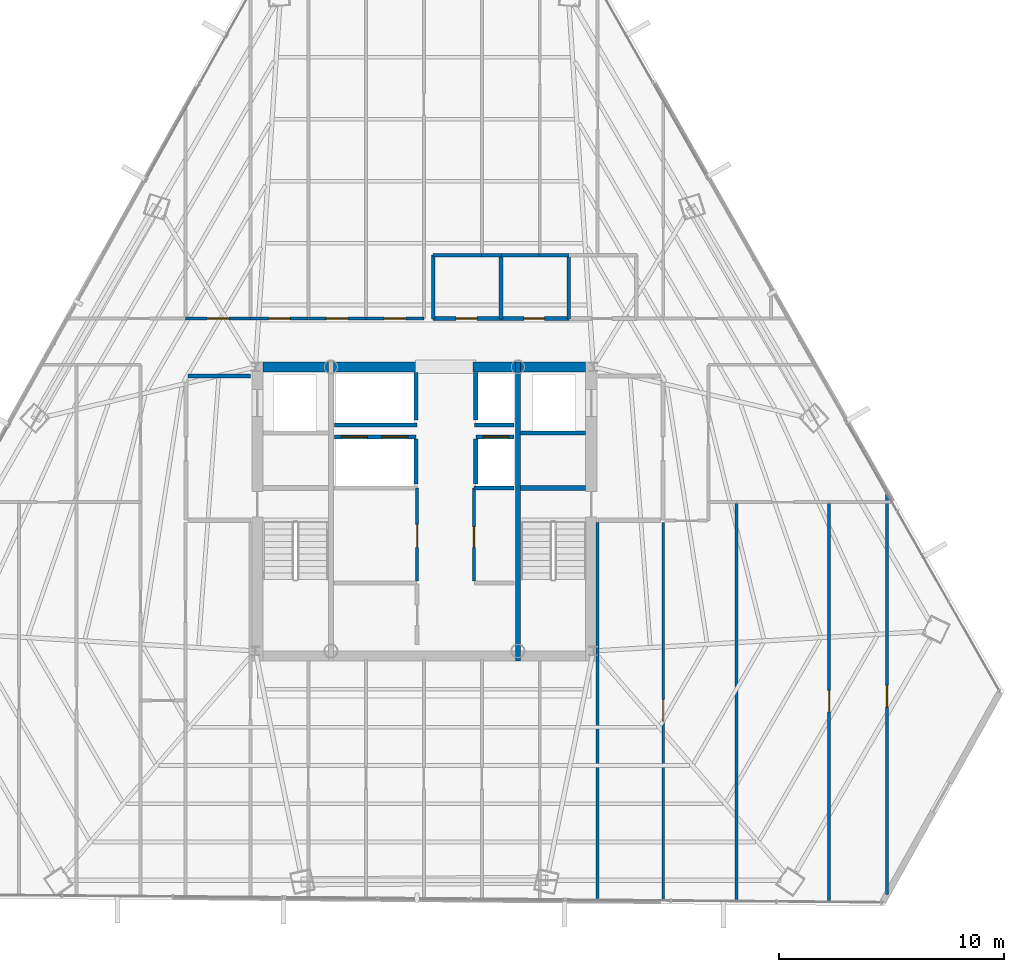
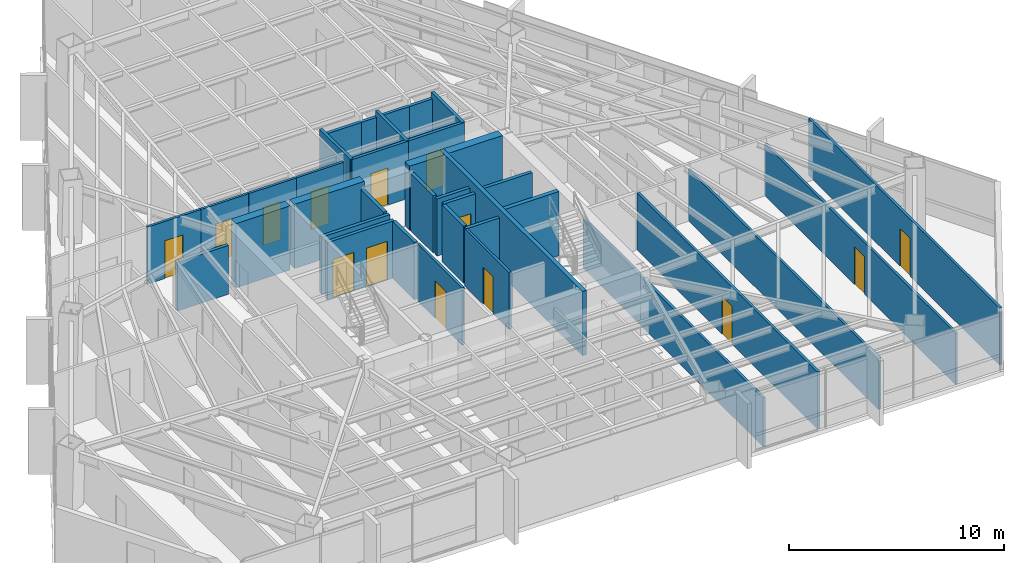
# One storey, part 35 of 40: 37 walls, 14 doors, 14 openings.
"""IFC4 building model written with IfcOpenShell, lengths in metres."""

from ifc_helpers import new_model, si_unit, direction, frame, frame_2d, origin, place, context, subcontext, project, spatial, rectangle, extrude, material, layer, layer_set, type_object, element, fill, save


model = new_model("IFC4")

# Units and contexts
model_context = context("Model", 3, precision=1e-05, world=origin(), true_north=direction((0.0, 1.0)))
body_context = subcontext(model_context, "Body", "Model", "MODEL_VIEW")
ifc_project = project(units=[si_unit("LENGTHUNIT", "METRE"), si_unit("AREAUNIT", "SQUARE_METRE"), si_unit("VOLUMEUNIT", "CUBIC_METRE"), si_unit("PLANEANGLEUNIT", "RADIAN"), si_unit("MASSUNIT", "GRAM", prefix="KILO")], contexts=[model_context])

# Site, building, storey
site_placement = place(None, origin())
site = spatial("IfcSite", under=ifc_project, at=site_placement, CompositionType="ELEMENT")
building_placement = place(site_placement, origin())
building = spatial("IfcBuilding", under=site, at=building_placement, Name="Caelisora Broadcast Tower", CompositionType="ELEMENT")
storey_placement = place(building_placement, frame((0.0, 0.0, 146.39990234375)))
storey = spatial("IfcBuildingStorey", under=building, at=storey_placement, Name="L38", CompositionType="ELEMENT", Elevation=146.39990234375)

# Walls
ifc_material_1 = material(Name="Concrete 50 MPa (AS 3600 S50)", Category="concrete")
ifc_layer_1 = layer(ifc_material_1, 0.449951171875, Name="Concrete 50 MPa (AS 3600 S50)")
ifc_layer_set_1 = layer_set([ifc_layer_1], Name="Concrete 50 MPa (AS 3600 S50)")
wall_type_1 = type_object("IfcWallType", Name="CW5", PredefinedType="SHEAR", material=ifc_layer_set_1)
wall_1_placement = place(storey_placement, frame((30.840087890625, 30.0, 0.0), z_axis=(0.0, 0.0, 1.0), x_axis=(1.0, 0.0, 0.0)))
element("IfcWall", 1, at=wall_1_placement, inside=storey, type_object=wall_type_1, Name="L38 core shear wall CW5", PredefinedType="SHEAR", context=body_context, shape_type="SweptSolid", body=[
    extrude(rectangle(XDim=2.89990234375, YDim=0.449951171875, at=frame_2d((1.449951171875, 0.0))), origin(), (0.0, 0.0, 1.0), 3.650146484375),
])
wall_2_placement = place(storey_placement, frame((33.9599609375, 30.0, 0.0), z_axis=(0.0, 0.0, 1.0), x_axis=(1.0, 0.0, 0.0)))
element("IfcWall", 2, at=wall_2_placement, inside=storey, type_object=wall_type_1, Name="L38 core shear wall CW5", PredefinedType="SHEAR", context=body_context, shape_type="SweptSolid", body=[
    extrude(rectangle(XDim=3.780029296875, YDim=0.449951171875, at=frame_2d((1.89013671875, 0.0))), origin(), (0.0, 0.0, 1.0), 3.650146484375),
])
wall_3_placement = place(storey_placement, frame((40.159912109375, 30.0, 0.0), z_axis=(0.0, 0.0, 1.0), x_axis=(1.0, 0.0, 0.0)))
element("IfcWall", 3, at=wall_3_placement, inside=storey, type_object=wall_type_1, Name="L38 core shear wall CW5", PredefinedType="SHEAR", context=body_context, shape_type="SweptSolid", body=[
    extrude(rectangle(XDim=1.880126953125, YDim=0.449951171875, at=frame_2d((0.93994140625, 0.0))), origin(), (0.0, 0.0, 1.0), 3.650146484375),
])
wall_4_placement = place(storey_placement, frame((42.260009765625, 30.0, 0.0), z_axis=(0.0, 0.0, 1.0), x_axis=(1.0, 0.0, 0.0)))
element("IfcWall", 4, at=wall_4_placement, inside=storey, type_object=wall_type_1, Name="L38 core shear wall CW5", PredefinedType="SHEAR", context=body_context, shape_type="SweptSolid", body=[
    extrude(rectangle(XDim=2.89990234375, YDim=0.449951171875, at=frame_2d((1.449951171875, 0.0))), origin(), (0.0, 0.0, 1.0), 3.650146484375),
])
ifc_layer_2 = layer(ifc_material_1, 0.219970703125, Name="Concrete 50 MPa (AS 3600 S50)")
ifc_layer_set_2 = layer_set([ifc_layer_2], Name="Concrete 50 MPa (AS 3600 S50)")
wall_type_2 = type_object("IfcWallType", Name="CW7", PredefinedType="SHEAR", material=ifc_layer_set_2)
wall_5_placement = place(storey_placement, frame((42.14990234375, 16.949951171875, 0.0), z_axis=(0.0, 0.0, 1.0), x_axis=(0.0, 1.0, 0.0)))
element("IfcWall", 5, at=wall_5_placement, inside=storey, type_object=wall_type_2, Name="L38 core shear wall CW7", PredefinedType="SHEAR", context=body_context, shape_type="SweptSolid", body=[
    extrude(rectangle(XDim=13.275146484375, YDim=0.219970703125, at=frame_2d((6.6376953125, 0.0))), origin(), (0.0, 0.0, 1.0), 3.650146484375),
])
wall_6_placement = place(storey_placement, frame((42.260009765625, 24.639892578125, 0.0), z_axis=(0.0, 0.0, 1.0), x_axis=(1.0, 0.0, 0.0)))
element("IfcWall", 6, at=wall_6_placement, inside=storey, type_object=wall_type_2, Name="L38 core shear wall CW7", PredefinedType="SHEAR", context=body_context, shape_type="SweptSolid", body=[
    extrude(rectangle(XDim=2.89990234375, YDim=0.219970703125, at=frame_2d((1.449951171875, 0.0))), origin(), (0.0, 0.0, 1.0), 3.650146484375),
])

# Wall, openings, doors
ifc_material_2 = material(Name="Fire-Rated Gypsum Shaft and Compartment Wall", Category="gypsum")
ifc_layer_3 = layer(ifc_material_2, 0.179931640625, Name="Fire-Rated Gypsum Shaft and Compartment Wall")
ifc_layer_set_3 = layer_set([ifc_layer_3], Name="Fire-Rated Gypsum Shaft and Compartment Wall")
wall_type_3 = type_object("IfcWallType", Name="PW2", PredefinedType="PARTITIONING", material=ifc_layer_set_3)
wall_7_placement = place(storey_placement, frame((34.02001953125, 26.89990234375, 0.0), z_axis=(0.0, 0.0, 1.0), x_axis=(1.0, 0.0, 0.0)))
wall_7 = element("IfcWall", 7, at=wall_7_placement, inside=storey, type_object=wall_type_3, Name="L38 fire compartment wall PW2", PredefinedType="PARTITIONING", context=body_context, shape_type="SweptSolid", body=[
    extrude(rectangle(XDim=3.60009765625, YDim=0.179931640625, at=frame_2d((1.800048828125, 0.0))), origin(), (0.0, 0.0, 1.0), 3.25),
])
opening_1_placement = place(wall_7_placement, frame((0.300048828125, 0.0, 0.0)))
opening_1 = element("IfcOpeningElement", 8, at=opening_1_placement, cuts=wall_7, Name="Opening LD02", PredefinedType="OPENING", context=body_context, shape_type="SweptSolid", body=[
    extrude(rectangle(XDim=1.14990234375, YDim=2.199951171875, at=frame_2d((0.574951171875, 1.10009765625))), frame((0.0, 0.10205078125, 0.0), z_axis=(0.0, -1.0, 0.0), x_axis=(1.0, 0.0, 0.0)), (0.0, 0.0, 1.0), 0.203857421875),
])
opening_2_placement = place(wall_7_placement, frame((2.10009765625, 0.0, 0.0)))
opening_2 = element("IfcOpeningElement", 9, at=opening_2_placement, cuts=wall_7, Name="Opening LD02", PredefinedType="OPENING", context=body_context, shape_type="SweptSolid", body=[
    extrude(rectangle(XDim=1.14990234375, YDim=2.199951171875, at=frame_2d((0.574951171875, 1.10009765625))), frame((0.0, 0.10205078125, 0.0), z_axis=(0.0, -1.0, 0.0), x_axis=(1.0, 0.0, 0.0)), (0.0, 0.0, 1.0), 0.203857421875),
])
ifc_material_3 = material(Name="High-Speed Express Lift Sliding Landing Door", Category="steel")
door_type_1 = type_object("IfcDoorType", Name="LD02", OperationType="NOTDEFINED", PredefinedType="DOOR", material=ifc_material_3)
door_1_placement = place(opening_1_placement, origin())
door_1 = element("IfcDoor", 10, at=door_1_placement, inside=storey, type_object=door_type_1, Name="L38 door LD02 (L38-LD-PLM1)", OperationType="SLIDING_TO_LEFT", OverallHeight=2.199951171875, OverallWidth=1.14990234375, PredefinedType="DOOR", context=body_context, shape_type="SweptSolid", body=[
    extrude(rectangle(XDim=1.14990234375, YDim=2.199951171875, at=frame_2d((0.574951171875, 1.10009765625))), frame((0.0, 0.02490234375, 0.0), z_axis=(0.0, -1.0, 0.0), x_axis=(1.0, 0.0, 0.0)), (0.0, 0.0, 1.0), 0.050048828125),
])
fill(opening_1, door_1)
door_2_placement = place(opening_2_placement, origin())
door_2 = element("IfcDoor", 11, at=door_2_placement, inside=storey, type_object=door_type_1, Name="L38 door LD02 (L38-LD-PLM2)", OperationType="SLIDING_TO_RIGHT", OverallHeight=2.199951171875, OverallWidth=1.14990234375, PredefinedType="DOOR", context=body_context, shape_type="SweptSolid", body=[
    extrude(rectangle(XDim=1.14990234375, YDim=2.199951171875, at=frame_2d((0.574951171875, 1.10009765625))), frame((0.0, 0.02490234375, 0.0), z_axis=(0.0, -1.0, 0.0), x_axis=(1.0, 0.0, 0.0)), (0.0, 0.0, 1.0), 0.050048828125),
])
fill(opening_2, door_2)

# Wall, opening, door
wall_8_placement = place(storey_placement, frame((40.280029296875, 26.89990234375, 0.0), z_axis=(0.0, 0.0, 1.0), x_axis=(1.0, 0.0, 0.0)))
wall_8 = element("IfcWall", 12, at=wall_8_placement, inside=storey, type_object=wall_type_3, Name="L38 fire compartment wall PW2", PredefinedType="PARTITIONING", context=body_context, shape_type="SweptSolid", body=[
    extrude(rectangle(XDim=1.699951171875, YDim=0.179931640625, at=frame_2d((0.85009765625, 0.0))), origin(), (0.0, 0.0, 1.0), 3.25),
])
opening_3_placement = place(wall_8_placement, frame((0.320068359375, 0.0, 0.0)))
opening_3 = element("IfcOpeningElement", 13, at=opening_3_placement, cuts=wall_8, Name="Opening LD02", PredefinedType="OPENING", context=body_context, shape_type="SweptSolid", body=[
    extrude(rectangle(XDim=1.14990234375, YDim=2.199951171875, at=frame_2d((0.574951171875, 1.10009765625))), frame((0.0, 0.10205078125, 0.0), z_axis=(0.0, -1.0, 0.0), x_axis=(1.0, 0.0, 0.0)), (0.0, 0.0, 1.0), 0.203857421875),
])
door_3_placement = place(opening_3_placement, origin())
door_3 = element("IfcDoor", 14, at=door_3_placement, inside=storey, type_object=door_type_1, Name="L38 door LD02 (L38-LD-PLM3)", OperationType="SLIDING_TO_LEFT", OverallHeight=2.199951171875, OverallWidth=1.14990234375, PredefinedType="DOOR", context=body_context, shape_type="SweptSolid", body=[
    extrude(rectangle(XDim=1.14990234375, YDim=2.199951171875, at=frame_2d((0.574951171875, 1.10009765625))), frame((0.0, 0.02490234375, 0.0), z_axis=(0.0, -1.0, 0.0), x_axis=(1.0, 0.0, 0.0)), (0.0, 0.0, 1.0), 0.050048828125),
])
fill(opening_3, door_3)

# Walls
for number, where, z_axis, x_axis, name in (
    (15, (37.6201171875, 24.800048828125, 0.0), (0.0, 0.0, 1.0), (0.0, 1.0, 0.0), "L38 fire compartment wall PW2"),
    (16, (40.280029296875, 24.800048828125, 0.0), (0.0, 0.0, 1.0), (0.0, 1.0, 0.0), "L38 fire compartment wall PW2"),
):
    element("IfcWall", number, at=place(storey_placement, frame(where, z_axis=z_axis, x_axis=x_axis)), inside=storey, type_object=wall_type_3, Name=name, PredefinedType="PARTITIONING", context=body_context, shape_type="SweptSolid", body=[
        extrude(rectangle(XDim=2.0, YDim=0.179931640625, at=frame_2d((1.0, 0.0))), origin(), (0.0, 0.0, 1.0), 3.25),
    ])
wall_9_placement = place(storey_placement, frame((40.199951171875, 24.639892578125, 0.0), z_axis=(0.0, 0.0, 1.0), x_axis=(1.0, 0.0, 0.0)))
element("IfcWall", 17, at=wall_9_placement, inside=storey, type_object=wall_type_3, Name="L38 fire compartment wall PW2", PredefinedType="PARTITIONING", context=body_context, shape_type="SweptSolid", body=[
    extrude(rectangle(XDim=1.780029296875, YDim=0.179931640625, at=frame_2d((0.89013671875, 0.0))), origin(), (0.0, 0.0, 1.0), 3.25),
])
wall_10_placement = place(storey_placement, frame((34.02001953125, 27.419921875, 0.0), z_axis=(0.0, 0.0, 1.0), x_axis=(1.0, 0.0, 0.0)))
element("IfcWall", 18, at=wall_10_placement, inside=storey, type_object=wall_type_3, Name="L38 fire compartment wall PW2", PredefinedType="PARTITIONING", context=body_context, shape_type="SweptSolid", body=[
    extrude(rectangle(XDim=3.659912109375, YDim=0.179931640625, at=frame_2d((1.830078125, 0.0))), origin(), (0.0, 0.0, 1.0), 3.25),
])
wall_11_placement = place(storey_placement, frame((40.219970703125, 27.419921875, 0.0), z_axis=(0.0, 0.0, 1.0), x_axis=(1.0, 0.0, 0.0)))
element("IfcWall", 19, at=wall_11_placement, inside=storey, type_object=wall_type_3, Name="L38 fire compartment wall PW2", PredefinedType="PARTITIONING", context=body_context, shape_type="SweptSolid", body=[
    extrude(rectangle(XDim=1.760009765625, YDim=0.179931640625, at=frame_2d((0.8798828125, 0.0))), origin(), (0.0, 0.0, 1.0), 3.25),
])
for number, where, z_axis, x_axis, name in (
    (20, (37.6201171875, 27.639892578125, 0.0), (0.0, 0.0, 1.0), (0.0, 1.0, 0.0), "L38 fire compartment wall PW2"),
    (21, (40.280029296875, 27.639892578125, 0.0), (0.0, 0.0, 1.0), (0.0, 1.0, 0.0), "L38 fire compartment wall PW2"),
):
    element("IfcWall", number, at=place(storey_placement, frame(where, z_axis=z_axis, x_axis=x_axis)), inside=storey, type_object=wall_type_3, Name=name, PredefinedType="PARTITIONING", context=body_context, shape_type="SweptSolid", body=[
        extrude(rectangle(XDim=2.110107421875, YDim=0.179931640625, at=frame_2d((1.05517578125, 0.0))), origin(), (0.0, 0.0, 1.0), 3.25),
    ])
wall_12_placement = place(storey_placement, frame((27.52001953125, 29.60009765625, 0.0), z_axis=(0.0, 0.0, 1.0), x_axis=(1.0, 0.0, 0.0)))
element("IfcWall", 22, at=wall_12_placement, inside=storey, type_object=wall_type_3, Name="L38 fire compartment wall PW2", PredefinedType="PARTITIONING", context=body_context, shape_type="SweptSolid", body=[
    extrude(rectangle(XDim=2.760009765625, YDim=0.179931640625, at=frame_2d((1.3798828125, 0.0))), origin(), (0.0, 0.0, 1.0), 2.774658203125),
])
wall_13_placement = place(storey_placement, frame((42.239990234375, 27.070068359375, 0.0), z_axis=(0.0, 0.0, 1.0), x_axis=(1.0, 0.0, 0.0)))
element("IfcWall", 23, at=wall_13_placement, inside=storey, type_object=wall_type_3, Name="L38 fire compartment wall PW2", PredefinedType="PARTITIONING", context=body_context, shape_type="SweptSolid", body=[
    extrude(rectangle(XDim=2.89990234375, YDim=0.179931640625, at=frame_2d((1.449951171875, 0.0))), origin(), (0.0, 0.0, 1.0), 3.25),
])

# Wall, opening, door
ifc_material_4 = material(Name="Acoustic Steel-Stud Plasterboard Partition", Category="gypsum")
ifc_layer_4 = layer(ifc_material_4, 0.1298828125, Name="Acoustic Steel-Stud Plasterboard Partition")
ifc_layer_set_4 = layer_set([ifc_layer_4], Name="Acoustic Steel-Stud Plasterboard Partition")
wall_type_4 = type_object("IfcWallType", Name="PW3", PredefinedType="PARTITIONING", material=ifc_layer_set_4)
wall_14_placement = place(storey_placement, frame((37.679931640625, 20.5, 0.0), z_axis=(0.0, 0.0, 1.0), x_axis=(0.0, 1.0, 0.0)))
wall_14 = element("IfcWall", 24, at=wall_14_placement, inside=storey, type_object=wall_type_4, Name="L38 internal partition PW3", PredefinedType="PARTITIONING", context=body_context, shape_type="SweptSolid", body=[
    extrude(rectangle(XDim=4.139892578125, YDim=0.1298828125, at=frame_2d((2.06982421875, 0.0))), origin(), (0.0, 0.0, 1.0), 3.25),
])
opening_4_placement = place(wall_14_placement, frame((1.5, 0.0, 0.0)))
opening_4 = element("IfcOpeningElement", 25, at=opening_4_placement, cuts=wall_14, Name="Opening D02", PredefinedType="OPENING", context=body_context, shape_type="SweptSolid", body=[
    extrude(rectangle(XDim=1.02001953125, YDim=2.14990234375, at=frame_2d((0.510009765625, 1.074951171875))), frame((0.0, 0.076904296875, 0.0), z_axis=(0.0, -1.0, 0.0), x_axis=(1.0, 0.0, 0.0)), (0.0, 0.0, 1.0), 0.15380859375),
])
ifc_material_5 = material(Name="Solid-Core Timber Archive Suite Door", Category="wood")
door_type_2 = type_object("IfcDoorType", Name="D02", OperationType="NOTDEFINED", PredefinedType="DOOR", material=ifc_material_5)
door_4_placement = place(opening_4_placement, origin())
door_4 = element("IfcDoor", 26, at=door_4_placement, inside=storey, type_object=door_type_2, Name="L38 door D02 (L38-DR-P11D1)", OperationType="SINGLE_SWING_LEFT", OverallHeight=2.14990234375, OverallWidth=1.02001953125, PredefinedType="DOOR", context=body_context, shape_type="SweptSolid", body=[
    extrude(rectangle(XDim=1.02001953125, YDim=2.14990234375, at=frame_2d((0.510009765625, 1.074951171875))), frame((0.0, 0.02490234375, 0.0), z_axis=(0.0, -1.0, 0.0), x_axis=(1.0, 0.0, 0.0)), (0.0, 0.0, 1.0), 0.050048828125),
])
fill(opening_4, door_4)

wall_15_placement = place(storey_placement, frame((40.199951171875, 20.5, 0.0), z_axis=(0.0, 0.0, 1.0), x_axis=(0.0, 1.0, 0.0)))
wall_15 = element("IfcWall", 27, at=wall_15_placement, inside=storey, type_object=wall_type_4, Name="L38 internal partition PW3", PredefinedType="PARTITIONING", context=body_context, shape_type="SweptSolid", body=[
    extrude(rectangle(XDim=4.139892578125, YDim=0.1298828125, at=frame_2d((2.06982421875, 0.0))), origin(), (0.0, 0.0, 1.0), 3.25),
])
opening_5_placement = place(wall_15_placement, frame((1.5, 0.0, 0.0)))
opening_5 = element("IfcOpeningElement", 28, at=opening_5_placement, cuts=wall_15, Name="Opening FD03", PredefinedType="OPENING", context=body_context, shape_type="SweptSolid", body=[
    extrude(rectangle(XDim=0.89990234375, YDim=2.10009765625, at=frame_2d((0.449951171875, 1.050048828125))), frame((0.0, 0.076904296875, 0.0), z_axis=(0.0, -1.0, 0.0), x_axis=(1.0, 0.0, 0.0)), (0.0, 0.0, 1.0), 0.15380859375),
])
ifc_material_6 = material(Name="Single-Leaf Steel Riser Fire Access Door", Category="steel")
door_type_3 = type_object("IfcDoorType", Name="FD03", OperationType="NOTDEFINED", PredefinedType="DOOR", material=ifc_material_6)
door_5_placement = place(opening_5_placement, origin())
door_5 = element("IfcDoor", 29, at=door_5_placement, inside=storey, type_object=door_type_3, Name="L38 door FD03 (L38-DR-P12D1)", OperationType="SINGLE_SWING_RIGHT", OverallHeight=2.10009765625, OverallWidth=0.89990234375, PredefinedType="DOOR", context=body_context, shape_type="SweptSolid", body=[
    extrude(rectangle(XDim=0.89990234375, YDim=2.10009765625, at=frame_2d((0.449951171875, 1.050048828125))), frame((0.0, 0.02490234375, 0.0), z_axis=(0.0, -1.0, 0.0), x_axis=(1.0, 0.0, 0.0)), (0.0, 0.0, 1.0), 0.050048828125),
])
fill(opening_5, door_5)

wall_16_placement = place(storey_placement, frame((55.9599609375, 6.25439453125, 0.0), z_axis=(0.0, 0.0, 1.0), x_axis=(0.0, 1.0, 0.0)))
wall_16 = element("IfcWall", 30, at=wall_16_placement, inside=storey, type_object=wall_type_4, Name="L38 internal partition PW3", PredefinedType="PARTITIONING", context=body_context, shape_type="SweptSolid", body=[
    extrude(rectangle(XDim=17.74072265625, YDim=0.1298828125, at=frame_2d((8.870361328125, 0.0))), origin(), (0.0, 0.0, 1.0), 2.927978515625),
])
opening_6_placement = place(wall_16_placement, frame((8.43798828125, 0.0, 0.0)))
opening_6 = element("IfcOpeningElement", 31, at=opening_6_placement, cuts=wall_16, Name="Opening D01", PredefinedType="OPENING", context=body_context, shape_type="SweptSolid", body=[
    extrude(rectangle(XDim=0.9599609375, YDim=2.14990234375, at=frame_2d((0.47998046875, 1.074951171875))), frame((0.0, 0.076904296875, 0.0), z_axis=(0.0, -1.0, 0.0), x_axis=(1.0, 0.0, 0.0)), (0.0, 0.0, 1.0), 0.15380859375),
])
ifc_material_7 = material(Name="Solid-Core Timber Acoustic Office Door", Category="wood")
door_type_4 = type_object("IfcDoorType", Name="D01", OperationType="NOTDEFINED", PredefinedType="DOOR", material=ifc_material_7)
door_6_placement = place(opening_6_placement, origin())
door_6 = element("IfcDoor", 32, at=door_6_placement, inside=storey, type_object=door_type_4, Name="L38 door D01 (L38-DR-P30D1)", OperationType="SINGLE_SWING_RIGHT", OverallHeight=2.14990234375, OverallWidth=0.9599609375, PredefinedType="DOOR", context=body_context, shape_type="SweptSolid", body=[
    extrude(rectangle(XDim=0.9599609375, YDim=2.14990234375, at=frame_2d((0.47998046875, 1.074951171875))), frame((0.0, 0.02490234375, 0.0), z_axis=(0.0, -1.0, 0.0), x_axis=(1.0, 0.0, 0.0)), (0.0, 0.0, 1.0), 0.050048828125),
])
fill(opening_6, door_6)

# Wall
wall_17_placement = place(storey_placement, frame((51.85009765625, 6.2880859375, 0.0), z_axis=(0.0, 0.0, 1.0), x_axis=(0.0, 1.0, 0.0)))
element("IfcWall", 33, at=wall_17_placement, inside=storey, type_object=wall_type_4, Name="L38 internal partition PW3", PredefinedType="PARTITIONING", context=body_context, shape_type="SweptSolid", body=[
    extrude(rectangle(XDim=17.70703125, YDim=0.1298828125, at=frame_2d((8.853515625, 0.0))), origin(), (0.0, 0.0, 1.0), 2.927978515625),
])

# Wall, opening, door
wall_18_placement = place(storey_placement, frame((58.530029296875, 6.586669921875, 0.0), z_axis=(0.0, 0.0, 1.0), x_axis=(0.0, 1.0, 0.0)))
wall_18 = element("IfcWall", 34, at=wall_18_placement, inside=storey, type_object=wall_type_4, Name="L38 internal partition PW3", PredefinedType="PARTITIONING", context=body_context, shape_type="SweptSolid", body=[
    extrude(rectangle(XDim=17.78466796875, YDim=0.1298828125, at=frame_2d((8.892333984375, 0.0))), origin(), (0.0, 0.0, 1.0), 3.25),
])
opening_7_placement = place(wall_18_placement, frame((8.322021484375, 0.0, 0.0)))
opening_7 = element("IfcOpeningElement", 35, at=opening_7_placement, cuts=wall_18, Name="Opening D01", PredefinedType="OPENING", context=body_context, shape_type="SweptSolid", body=[
    extrude(rectangle(XDim=0.9599609375, YDim=2.14990234375, at=frame_2d((0.47998046875, 1.074951171875))), frame((0.0, 0.076904296875, 0.0), z_axis=(0.0, -1.0, 0.0), x_axis=(1.0, 0.0, 0.0)), (0.0, 0.0, 1.0), 0.15380859375),
])
door_7_placement = place(opening_7_placement, origin())
door_7 = element("IfcDoor", 36, at=door_7_placement, inside=storey, type_object=door_type_4, Name="L38 door D01 (L38-DR-P32D1)", OperationType="SINGLE_SWING_LEFT", OverallHeight=2.14990234375, OverallWidth=0.9599609375, PredefinedType="DOOR", context=body_context, shape_type="SweptSolid", body=[
    extrude(rectangle(XDim=0.9599609375, YDim=2.14990234375, at=frame_2d((0.47998046875, 1.074951171875))), frame((0.0, 0.02490234375, 0.0), z_axis=(0.0, -1.0, 0.0), x_axis=(1.0, 0.0, 0.0)), (0.0, 0.0, 1.0), 0.050048828125),
])
fill(opening_7, door_7)

wall_19_placement = place(storey_placement, frame((48.60009765625, 6.31494140625, 0.0), z_axis=(0.0, 0.0, 1.0), x_axis=(0.0, 1.0, 0.0)))
wall_19 = element("IfcWall", 37, at=wall_19_placement, inside=storey, type_object=wall_type_4, Name="L38 internal partition PW3", PredefinedType="PARTITIONING", context=body_context, shape_type="SweptSolid", body=[
    extrude(rectangle(XDim=16.7900390625, YDim=0.1298828125, at=frame_2d((8.39501953125, 0.0))), origin(), (0.0, 0.0, 1.0), 3.25),
])
opening_8_placement = place(wall_19_placement, frame((7.962890625, 0.0, 0.0)))
opening_8 = element("IfcOpeningElement", 38, at=opening_8_placement, cuts=wall_19, Name="Opening D01", PredefinedType="OPENING", context=body_context, shape_type="SweptSolid", body=[
    extrude(rectangle(XDim=0.9599609375, YDim=2.14990234375, at=frame_2d((0.47998046875, 1.074951171875))), frame((0.0, 0.076904296875, 0.0), z_axis=(0.0, -1.0, 0.0), x_axis=(1.0, 0.0, 0.0)), (0.0, 0.0, 1.0), 0.15380859375),
])
door_8_placement = place(opening_8_placement, origin())
door_8 = element("IfcDoor", 39, at=door_8_placement, inside=storey, type_object=door_type_4, Name="L38 door D01 (L38-DR-P35D1)", OperationType="SINGLE_SWING_RIGHT", OverallHeight=2.14990234375, OverallWidth=0.9599609375, PredefinedType="DOOR", context=body_context, shape_type="SweptSolid", body=[
    extrude(rectangle(XDim=0.9599609375, YDim=2.14990234375, at=frame_2d((0.47998046875, 1.074951171875))), frame((0.0, 0.02490234375, 0.0), z_axis=(0.0, -1.0, 0.0), x_axis=(1.0, 0.0, 0.0)), (0.0, 0.0, 1.0), 0.050048828125),
])
fill(opening_8, door_8)

# Wall
wall_20_placement = place(storey_placement, frame((45.68994140625, 6.3388671875, 0.0), z_axis=(0.0, 0.0, 1.0), x_axis=(0.0, 1.0, 0.0)))
element("IfcWall", 40, at=wall_20_placement, inside=storey, type_object=wall_type_4, Name="L38 internal partition PW3", PredefinedType="PARTITIONING", context=body_context, shape_type="SweptSolid", body=[
    extrude(rectangle(XDim=16.76611328125, YDim=0.1298828125, at=frame_2d((8.383056640625, 0.0))), origin(), (0.0, 0.0, 1.0), 2.774658203125),
])

# Wall, opening, door
wall_21_placement = place(storey_placement, frame((27.405029296875, 32.14990234375, 0.0), z_axis=(0.0, 0.0, 1.0), x_axis=(1.0, 0.0, 0.0)))
wall_21 = element("IfcWall", 41, at=wall_21_placement, inside=storey, type_object=wall_type_4, Name="L38 internal partition PW3", PredefinedType="PARTITIONING", context=body_context, shape_type="SweptSolid", body=[
    extrude(rectangle(XDim=2.869873046875, YDim=0.1298828125, at=frame_2d((1.43505859375, 0.0))), origin(), (0.0, 0.0, 1.0), 3.25),
])
opening_9_placement = place(wall_21_placement, frame((0.955078125, 0.0, 0.0)))
opening_9 = element("IfcOpeningElement", 42, at=opening_9_placement, cuts=wall_21, Name="Opening D01", PredefinedType="OPENING", context=body_context, shape_type="SweptSolid", body=[
    extrude(rectangle(XDim=0.9599609375, YDim=2.14990234375, at=frame_2d((0.47998046875, 1.074951171875))), frame((0.0, 0.076904296875, 0.0), z_axis=(0.0, -1.0, 0.0), x_axis=(1.0, 0.0, 0.0)), (0.0, 0.0, 1.0), 0.15380859375),
])
door_9_placement = place(opening_9_placement, origin())
door_9 = element("IfcDoor", 43, at=door_9_placement, inside=storey, type_object=door_type_4, Name="L38 door D01 (L38-DR-P63D1)", OperationType="SINGLE_SWING_RIGHT", OverallHeight=2.14990234375, OverallWidth=0.9599609375, PredefinedType="DOOR", context=body_context, shape_type="SweptSolid", body=[
    extrude(rectangle(XDim=0.9599609375, YDim=2.14990234375, at=frame_2d((0.47998046875, 1.074951171875))), frame((0.0, 0.02490234375, 0.0), z_axis=(0.0, -1.0, 0.0), x_axis=(1.0, 0.0, 0.0)), (0.0, 0.0, 1.0), 0.050048828125),
])
fill(opening_9, door_9)

wall_22_placement = place(storey_placement, frame((30.284912109375, 32.14990234375, 0.0), z_axis=(0.0, 0.0, 1.0), x_axis=(1.0, 0.0, 0.0)))
wall_22 = element("IfcWall", 44, at=wall_22_placement, inside=storey, type_object=wall_type_4, Name="L38 internal partition PW3", PredefinedType="PARTITIONING", context=body_context, shape_type="SweptSolid", body=[
    extrude(rectangle(XDim=2.56005859375, YDim=0.1298828125, at=frame_2d((1.280029296875, 0.0))), origin(), (0.0, 0.0, 1.0), 3.25),
])
opening_10_placement = place(wall_22_placement, frame((0.800048828125, 0.0, 0.0)))
opening_10 = element("IfcOpeningElement", 45, at=opening_10_placement, cuts=wall_22, Name="Opening D01", PredefinedType="OPENING", context=body_context, shape_type="SweptSolid", body=[
    extrude(rectangle(XDim=0.9599609375, YDim=2.14990234375, at=frame_2d((0.47998046875, 1.074951171875))), frame((0.0, 0.076904296875, 0.0), z_axis=(0.0, -1.0, 0.0), x_axis=(1.0, 0.0, 0.0)), (0.0, 0.0, 1.0), 0.15380859375),
])
door_10_placement = place(opening_10_placement, origin())
door_10 = element("IfcDoor", 46, at=door_10_placement, inside=storey, type_object=door_type_4, Name="L38 door D01 (L38-DR-P66D1)", OperationType="SINGLE_SWING_LEFT", OverallHeight=2.14990234375, OverallWidth=0.9599609375, PredefinedType="DOOR", context=body_context, shape_type="SweptSolid", body=[
    extrude(rectangle(XDim=0.9599609375, YDim=2.14990234375, at=frame_2d((0.47998046875, 1.074951171875))), frame((0.0, 0.02490234375, 0.0), z_axis=(0.0, -1.0, 0.0), x_axis=(1.0, 0.0, 0.0)), (0.0, 0.0, 1.0), 0.050048828125),
])
fill(opening_10, door_10)

wall_23_placement = place(storey_placement, frame((35.4150390625, 32.14990234375, 0.0), z_axis=(0.0, 0.0, 1.0), x_axis=(1.0, 0.0, 0.0)))
wall_23 = element("IfcWall", 47, at=wall_23_placement, inside=storey, type_object=wall_type_4, Name="L38 internal partition PW3", PredefinedType="PARTITIONING", context=body_context, shape_type="SweptSolid", body=[
    extrude(rectangle(XDim=2.56005859375, YDim=0.1298828125, at=frame_2d((1.280029296875, 0.0))), origin(), (0.0, 0.0, 1.0), 3.25),
])
opening_11_placement = place(wall_23_placement, frame((0.800048828125, 0.0, 0.0)))
opening_11 = element("IfcOpeningElement", 48, at=opening_11_placement, cuts=wall_23, Name="Opening D01", PredefinedType="OPENING", context=body_context, shape_type="SweptSolid", body=[
    extrude(rectangle(XDim=0.9599609375, YDim=2.14990234375, at=frame_2d((0.47998046875, 1.074951171875))), frame((0.0, 0.076904296875, 0.0), z_axis=(0.0, -1.0, 0.0), x_axis=(1.0, 0.0, 0.0)), (0.0, 0.0, 1.0), 0.15380859375),
])
door_11_placement = place(opening_11_placement, origin())
door_11 = element("IfcDoor", 49, at=door_11_placement, inside=storey, type_object=door_type_4, Name="L38 door D01 (L38-DR-P67D1)", OperationType="SINGLE_SWING_RIGHT", OverallHeight=2.14990234375, OverallWidth=0.9599609375, PredefinedType="DOOR", context=body_context, shape_type="SweptSolid", body=[
    extrude(rectangle(XDim=0.9599609375, YDim=2.14990234375, at=frame_2d((0.47998046875, 1.074951171875))), frame((0.0, 0.02490234375, 0.0), z_axis=(0.0, -1.0, 0.0), x_axis=(1.0, 0.0, 0.0)), (0.0, 0.0, 1.0), 0.050048828125),
])
fill(opening_11, door_11)

wall_24_placement = place(storey_placement, frame((32.85498046875, 32.14990234375, 0.0), z_axis=(0.0, 0.0, 1.0), x_axis=(1.0, 0.0, 0.0)))
wall_24 = element("IfcWall", 50, at=wall_24_placement, inside=storey, type_object=wall_type_4, Name="L38 internal partition PW3", PredefinedType="PARTITIONING", context=body_context, shape_type="SweptSolid", body=[
    extrude(rectangle(XDim=2.550048828125, YDim=0.1298828125, at=frame_2d((1.27490234375, 0.0))), origin(), (0.0, 0.0, 1.0), 3.25),
])
opening_12_placement = place(wall_24_placement, frame((0.794921875, 0.0, 0.0)))
opening_12 = element("IfcOpeningElement", 51, at=opening_12_placement, cuts=wall_24, Name="Opening D01", PredefinedType="OPENING", context=body_context, shape_type="SweptSolid", body=[
    extrude(rectangle(XDim=0.9599609375, YDim=2.14990234375, at=frame_2d((0.47998046875, 1.074951171875))), frame((0.0, 0.076904296875, 0.0), z_axis=(0.0, -1.0, 0.0), x_axis=(1.0, 0.0, 0.0)), (0.0, 0.0, 1.0), 0.15380859375),
])
door_12_placement = place(opening_12_placement, origin())
door_12 = element("IfcDoor", 52, at=door_12_placement, inside=storey, type_object=door_type_4, Name="L38 door D01 (L38-DR-P70D1)", OperationType="SINGLE_SWING_RIGHT", OverallHeight=2.14990234375, OverallWidth=0.9599609375, PredefinedType="DOOR", context=body_context, shape_type="SweptSolid", body=[
    extrude(rectangle(XDim=0.9599609375, YDim=2.14990234375, at=frame_2d((0.47998046875, 1.074951171875))), frame((0.0, 0.02490234375, 0.0), z_axis=(0.0, -1.0, 0.0), x_axis=(1.0, 0.0, 0.0)), (0.0, 0.0, 1.0), 0.050048828125),
])
fill(opening_12, door_12)

ifc_material_8 = material(Name="Moisture-Resistant Wet Plumbing Service Wall", Category="gypsum")
ifc_layer_5 = layer(ifc_material_8, 0.159912109375, Name="Moisture-Resistant Wet Plumbing Service Wall")
ifc_layer_set_5 = layer_set([ifc_layer_5], Name="Moisture-Resistant Wet Plumbing Service Wall")
wall_type_5 = type_object("IfcWallType", Name="PW4", PredefinedType="PLUMBINGWALL", material=ifc_layer_set_5)
wall_25_placement = place(storey_placement, frame((38.375, 32.14990234375, 0.0), z_axis=(0.0, 0.0, 1.0), x_axis=(1.0, 0.0, 0.0)))
wall_25 = element("IfcWall", 53, at=wall_25_placement, inside=storey, type_object=wall_type_5, Name="L38 wet plumbing wall PW4", PredefinedType="PLUMBINGWALL", context=body_context, shape_type="SweptSolid", body=[
    extrude(rectangle(XDim=3.050048828125, YDim=0.159912109375, at=frame_2d((1.52490234375, 0.0))), origin(), (0.0, 0.0, 1.0), 3.25),
])
opening_13_placement = place(wall_25_placement, frame((1.034912109375, 0.0, 0.0)))
opening_13 = element("IfcOpeningElement", 54, at=opening_13_placement, cuts=wall_25, Name="Opening D03", PredefinedType="OPENING", context=body_context, shape_type="SweptSolid", body=[
    extrude(rectangle(XDim=0.919921875, YDim=2.10009765625, at=frame_2d((0.4599609375, 1.050048828125))), frame((0.0, 0.092041015625, 0.0), z_axis=(0.0, -1.0, 0.0), x_axis=(1.0, 0.0, 0.0)), (0.0, 0.0, 1.0), 0.183837890625),
])
ifc_material_9 = material(Name="Laminate Moisture-Resistant Amenity WC Door", Category="wood")
door_type_5 = type_object("IfcDoorType", Name="D03", OperationType="NOTDEFINED", PredefinedType="DOOR", material=ifc_material_9)
door_13_placement = place(opening_13_placement, origin())
door_13 = element("IfcDoor", 55, at=door_13_placement, inside=storey, type_object=door_type_5, Name="L38 door D03 (L38-DR-P14D1)", OperationType="SINGLE_SWING_RIGHT", OverallHeight=2.10009765625, OverallWidth=0.919921875, PredefinedType="DOOR", context=body_context, shape_type="SweptSolid", body=[
    extrude(rectangle(XDim=0.919921875, YDim=2.10009765625, at=frame_2d((0.4599609375, 1.050048828125))), frame((0.0, 0.02490234375, 0.0), z_axis=(0.0, -1.0, 0.0), x_axis=(1.0, 0.0, 0.0)), (0.0, 0.0, 1.0), 0.050048828125),
])
fill(opening_13, door_13)

wall_26_placement = place(storey_placement, frame((41.375, 32.14990234375, 0.0), z_axis=(0.0, 0.0, 1.0), x_axis=(1.0, 0.0, 0.0)))
wall_26 = element("IfcWall", 56, at=wall_26_placement, inside=storey, type_object=wall_type_5, Name="L38 wet plumbing wall PW4", PredefinedType="PLUMBINGWALL", context=body_context, shape_type="SweptSolid", body=[
    extrude(rectangle(XDim=3.050048828125, YDim=0.159912109375, at=frame_2d((1.52490234375, 0.0))), origin(), (0.0, 0.0, 1.0), 3.25),
])
opening_14_placement = place(wall_26_placement, frame((1.034912109375, 0.0, 0.0)))
opening_14 = element("IfcOpeningElement", 57, at=opening_14_placement, cuts=wall_26, Name="Opening D03", PredefinedType="OPENING", context=body_context, shape_type="SweptSolid", body=[
    extrude(rectangle(XDim=0.919921875, YDim=2.10009765625, at=frame_2d((0.4599609375, 1.050048828125))), frame((0.0, 0.092041015625, 0.0), z_axis=(0.0, -1.0, 0.0), x_axis=(1.0, 0.0, 0.0)), (0.0, 0.0, 1.0), 0.183837890625),
])
door_14_placement = place(opening_14_placement, origin())
door_14 = element("IfcDoor", 58, at=door_14_placement, inside=storey, type_object=door_type_5, Name="L38 door D03 (L38-DR-P15D1)", OperationType="SINGLE_SWING_LEFT", OverallHeight=2.10009765625, OverallWidth=0.919921875, PredefinedType="DOOR", context=body_context, shape_type="SweptSolid", body=[
    extrude(rectangle(XDim=0.919921875, YDim=2.10009765625, at=frame_2d((0.4599609375, 1.050048828125))), frame((0.0, 0.02490234375, 0.0), z_axis=(0.0, -1.0, 0.0), x_axis=(1.0, 0.0, 0.0)), (0.0, 0.0, 1.0), 0.050048828125),
])
fill(opening_14, door_14)

# Walls
for number, where, z_axis, x_axis, name in (
    (59, (41.39990234375, 32.125, 0.0), (0.0, 0.0, 1.0), (0.0, 1.0, 0.0), "L38 wet plumbing wall PW4"),
    (60, (38.39990234375, 32.125, 0.0), (0.0, 0.0, 1.0), (0.0, 1.0, 0.0), "L38 wet plumbing wall PW4"),
    (61, (44.39990234375, 32.125, 0.0), (0.0, 0.0, 1.0), (0.0, 1.0, 0.0), "L38 wet plumbing wall PW4"),
):
    element("IfcWall", number, at=place(storey_placement, frame(where, z_axis=z_axis, x_axis=x_axis)), inside=storey, type_object=wall_type_5, Name=name, PredefinedType="PLUMBINGWALL", context=body_context, shape_type="SweptSolid", body=[
        extrude(rectangle(XDim=2.85009765625, YDim=0.159912109375, at=frame_2d((1.425048828125, 0.0))), origin(), (0.0, 0.0, 1.0), 3.25),
    ])
wall_27_placement = place(storey_placement, frame((38.375, 34.949951171875, 0.0), z_axis=(0.0, 0.0, 1.0), x_axis=(1.0, 0.0, 0.0)))
element("IfcWall", 62, at=wall_27_placement, inside=storey, type_object=wall_type_5, Name="L38 wet plumbing wall PW4", PredefinedType="PLUMBINGWALL", context=body_context, shape_type="SweptSolid", body=[
    extrude(rectangle(XDim=2.199951171875, YDim=0.159912109375, at=frame_2d((1.10009765625, 0.0))), origin(), (0.0, 0.0, 1.0), 2.927978515625),
])
wall_28_placement = place(storey_placement, frame((41.375, 34.949951171875, 0.0), z_axis=(0.0, 0.0, 1.0), x_axis=(1.0, 0.0, 0.0)))
element("IfcWall", 63, at=wall_28_placement, inside=storey, type_object=wall_type_5, Name="L38 wet plumbing wall PW4", PredefinedType="PLUMBINGWALL", context=body_context, shape_type="SweptSolid", body=[
    extrude(rectangle(XDim=1.77001953125, YDim=0.159912109375, at=frame_2d((0.885009765625, 0.0))), origin(), (0.0, 0.0, 1.0), 2.927978515625),
])
wall_29_placement = place(storey_placement, frame((43.094970703125, 34.949951171875, 0.0), z_axis=(0.0, 0.0, 1.0), x_axis=(1.0, 0.0, 0.0)))
element("IfcWall", 64, at=wall_29_placement, inside=storey, type_object=wall_type_5, Name="L38 wet plumbing wall PW4", PredefinedType="PLUMBINGWALL", context=body_context, shape_type="SweptSolid", body=[
    extrude(rectangle(XDim=1.330078125, YDim=0.159912109375, at=frame_2d((0.6650390625, 0.0))), origin(), (0.0, 0.0, 1.0), 2.927978515625),
])
wall_30_placement = place(storey_placement, frame((40.52490234375, 34.949951171875, 0.0), z_axis=(0.0, 0.0, 1.0), x_axis=(1.0, 0.0, 0.0)))
element("IfcWall", 65, at=wall_30_placement, inside=storey, type_object=wall_type_5, Name="L38 wet plumbing wall PW4", PredefinedType="PLUMBINGWALL", context=body_context, shape_type="SweptSolid", body=[
    extrude(rectangle(XDim=0.900146484375, YDim=0.159912109375, at=frame_2d((0.4501953125, 0.0))), origin(), (0.0, 0.0, 1.0), 2.927978515625),
])

save(model, "model.ifc")
